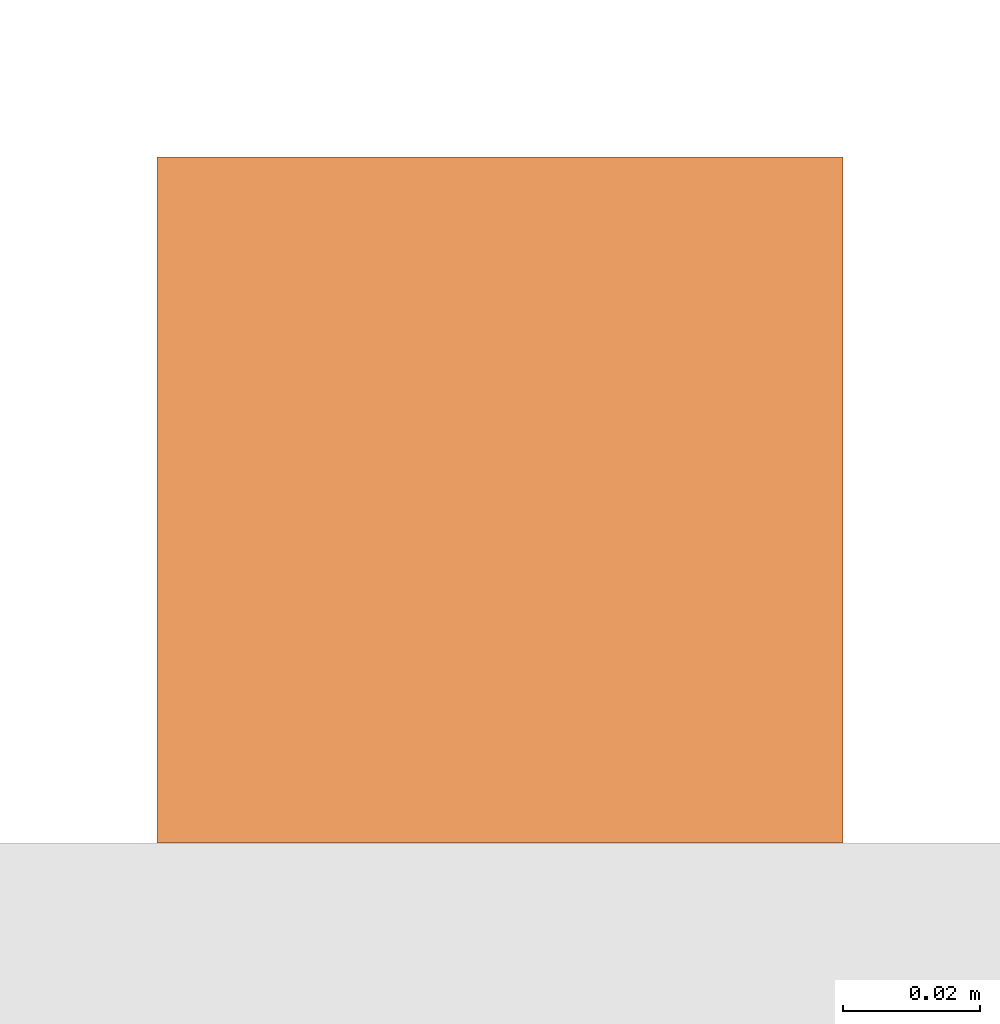
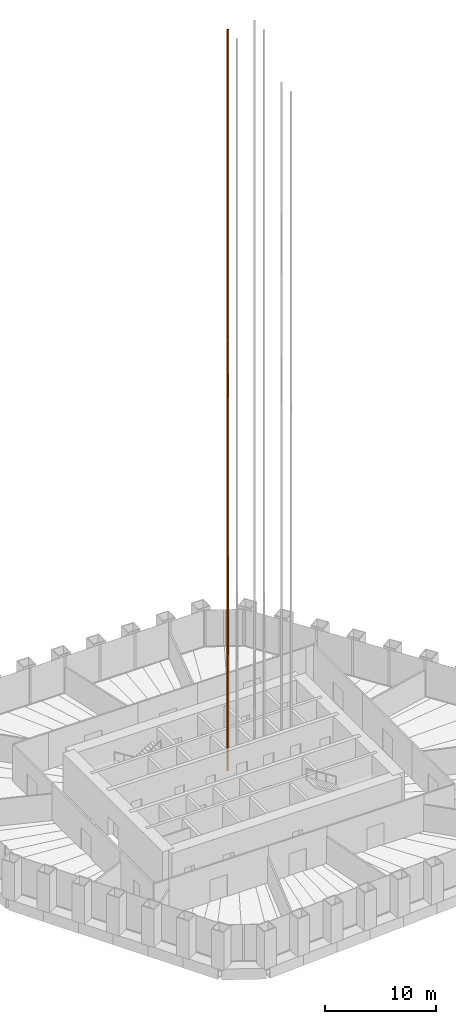
# One storey, part 17 of 20: 1 proxy.
"""IFC4 building model written with IfcOpenShell, lengths in metres."""

from ifc_helpers import new_model, si_unit, direction, frame, origin, origin_2d, place, context, subcontext, project, spatial, rectangle, extrude, material, type_object, element, save


model = new_model("IFC4")

# Units and contexts
model_context = context("Model", 3, precision=1e-05, world=origin(), true_north=direction((0.0, 1.0)))
body_context = subcontext(model_context, "Body", "Model", "MODEL_VIEW")
ifc_project = project(units=[si_unit("LENGTHUNIT", "METRE"), si_unit("AREAUNIT", "SQUARE_METRE"), si_unit("VOLUMEUNIT", "CUBIC_METRE"), si_unit("PLANEANGLEUNIT", "RADIAN"), si_unit("MASSUNIT", "GRAM", prefix="KILO")], contexts=[model_context])

# Site, building, storey
site_placement = place(None, origin())
site = spatial("IfcSite", under=ifc_project, at=site_placement, CompositionType="ELEMENT")
building_placement = place(site_placement, origin())
building = spatial("IfcBuilding", under=site, at=building_placement, Name="Qingtian Harvest Tower", CompositionType="ELEMENT")
storey_placement = place(building_placement, frame((0.0, 0.0, 180.39990234375)))
storey = spatial("IfcBuildingStorey", under=building, at=storey_placement, Name="L38", CompositionType="ELEMENT", Elevation=180.39990234375)

# Proxy
ifc_material = material(Name="Steel SN490B", Category="steel")
building_element_proxy_type = type_object("IfcBuildingElementProxyType", Name="Lift guide rail LR1", PredefinedType="NOTDEFINED", material=ifc_material)
proxy_placement = place(storey_placement, frame((1.89990234375, 4.375, 0.0), z_axis=(0.0, 0.0, 1.0), x_axis=(1.0, 0.0, 0.0)))
element("IfcBuildingElementProxy", 1, at=proxy_placement, inside=storey, type_object=building_element_proxy_type, Name="Lift PLC1 guide rail 2", PredefinedType="NOTDEFINED", context=body_context, shape_type="SweptSolid", body=[
    extrude(rectangle(XDim=0.10009765625, YDim=0.10009765625, at=origin_2d()), origin(), (0.0, 0.0, 1.0), 81.60009765625),
])

save(model, "model.ifc")
